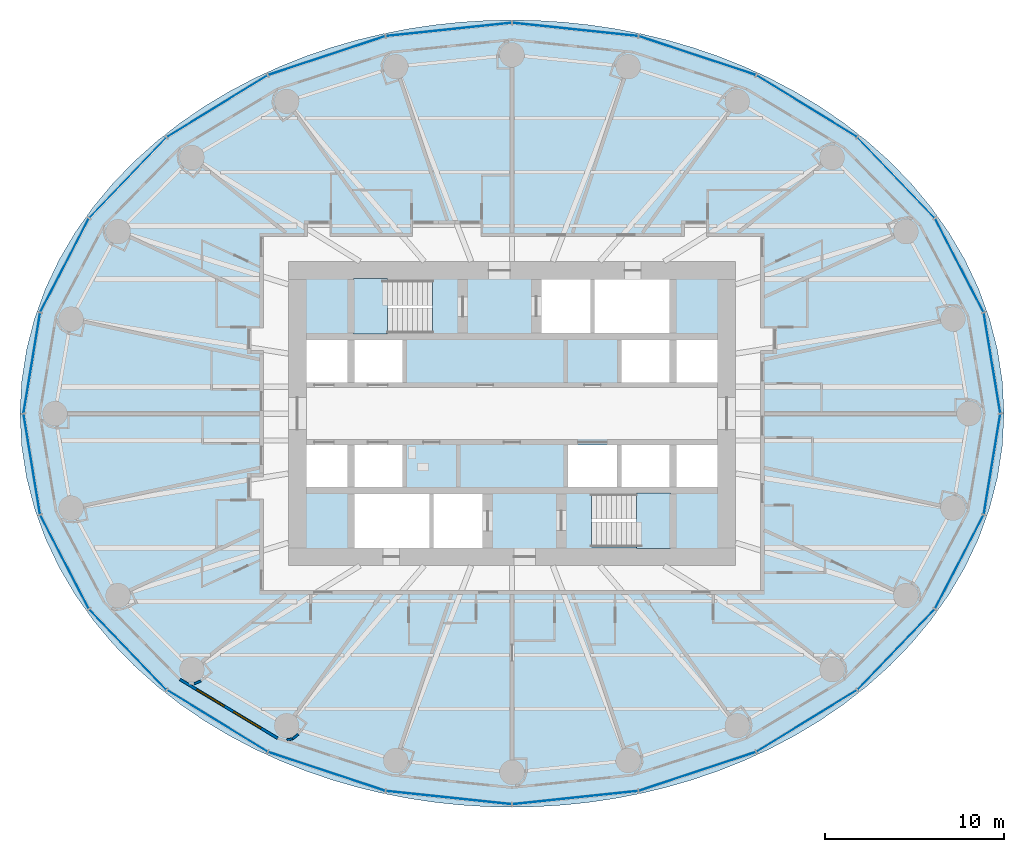
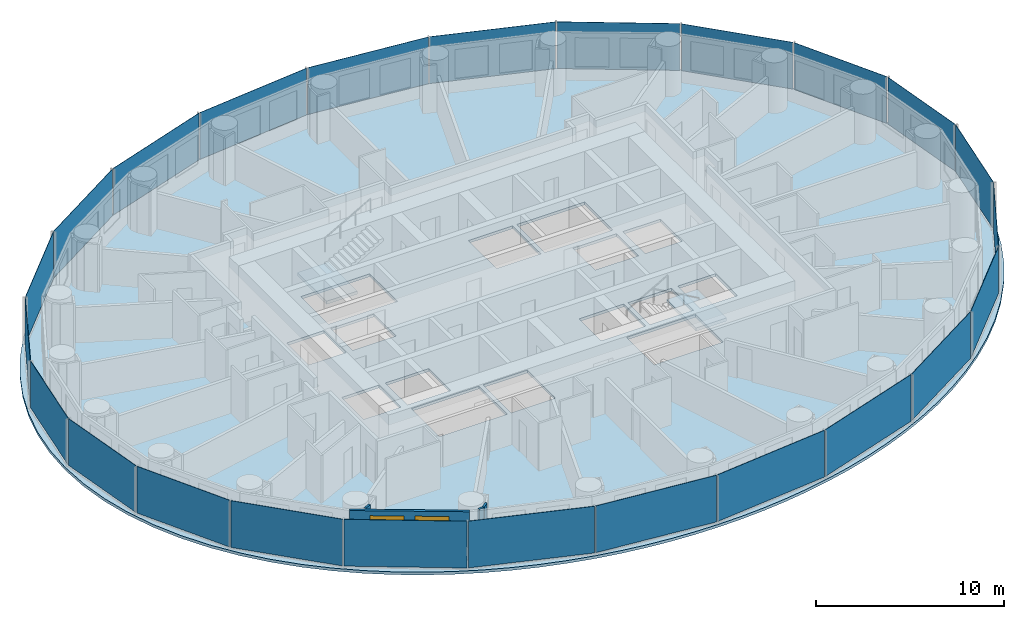
# One storey, part 5 of 16: 24 plates, 4 walls, 3 slabs, 2 windows, 2 openings, 6 elements without a shape of their own.
"""IFC4 building model written with IfcOpenShell, lengths in metres."""

from ifc_helpers import new_model, si_unit, direction, frame, frame_2d, origin, origin_2d, place, context, subcontext, project, spatial, polyline, rectangle, outline, extrude, material, layer, layer_set, type_object, element, fill, aggregate, save


model = new_model("IFC4")

# Units and contexts
model_context = context("Model", 3, precision=1e-05, world=origin(), true_north=direction((0.0, 1.0)))
body_context = subcontext(model_context, "Body", "Model", "MODEL_VIEW")
ifc_project = project(units=[si_unit("LENGTHUNIT", "METRE"), si_unit("AREAUNIT", "SQUARE_METRE"), si_unit("VOLUMEUNIT", "CUBIC_METRE"), si_unit("PLANEANGLEUNIT", "RADIAN"), si_unit("MASSUNIT", "GRAM", prefix="KILO")], contexts=[model_context])

# Site, building, storey
site_placement = place(None, origin())
site = spatial("IfcSite", under=ifc_project, at=site_placement, CompositionType="ELEMENT")
building_placement = place(site_placement, origin())
building = spatial("IfcBuilding", under=site, at=building_placement, Name="Hankou Lantern Tower", CompositionType="ELEMENT")
storey_placement = place(building_placement, frame((0.0, 0.0, 77.10009765625)))
storey = spatial("IfcBuildingStorey", under=building, at=storey_placement, Name="L19", CompositionType="ELEMENT", Elevation=77.10009765625)

# Curtain wall, plates
ifc_material_1 = material(Name="Glass, dark grey tinted laminated", Category="glass")
curtain_wall_type = type_object("IfcCurtainWallType", Name="CWA OUTER SKIN LOW-RISE", PredefinedType="USERDEFINED", material=ifc_material_1)
curtain_wall_1_placement = place(storey_placement, origin())
curtain_wall_1 = element("IfcCurtainWall", 1, at=curtain_wall_1_placement, inside=storey, type_object=curtain_wall_type, Name="CWA L19 OS1", ObjectType="OUTER SKIN LOW-RISE", PredefinedType="USERDEFINED")
ifc_material_2 = material(Name="Glass, dark grey tinted laminated", Category="glass")
ifc_layer_1 = layer(ifc_material_2, 0.02392578125)
ifc_layer_set_1 = layer_set([ifc_layer_1], Name="Glass, dark grey tinted laminated")
plate_type = type_object("IfcPlateType", Name="PN1 OUTER SKIN GLASS PANEL", PredefinedType="CURTAIN_PANEL", material=ifc_layer_set_1)
plate_1_placement = place(storey_placement, frame((26.8349609375, 2.826416015625, 0.079833984375), z_axis=(0.0, 0.0, 1.0), x_axis=(-0.162381515188, 0.986728049427, 0.0)))
plate_1 = element("IfcPlate", 2, at=plate_1_placement, type_object=plate_type, Name="CWA glass panel 1", PredefinedType="CURTAIN_PANEL", context=body_context, shape_type="SweptSolid", body=[
    extrude(rectangle(XDim=5.648681640625, YDim=0.02392578125, at=origin_2d()), origin(), (0.0, 0.0, 1.0), 3.0400390625),
])
plate_2_placement = place(storey_placement, frame((25.006103515625, 8.286376953125, 0.079833984375), z_axis=(0.0, 0.0, 1.0), x_axis=(-0.459791091957, 0.888027112062, 0.0)))
plate_2 = element("IfcPlate", 3, at=plate_2_placement, type_object=plate_type, Name="CWA glass panel 2", PredefinedType="CURTAIN_PANEL", context=body_context, shape_type="SweptSolid", body=[
    extrude(rectangle(XDim=5.8515625, YDim=0.02392578125, at=origin_2d()), origin(), (0.0, 0.0, 1.0), 3.0400390625),
])
plate_3_placement = place(storey_placement, frame((21.47314453125, 13.181640625, 0.079833984375), z_axis=(0.0, 0.0, 1.0), x_axis=(-0.692215809936, 0.721690565599, 0.0)))
plate_3 = element("IfcPlate", 4, at=plate_3_placement, type_object=plate_type, Name="CWA glass panel 3", PredefinedType="CURTAIN_PANEL", context=body_context, shape_type="SweptSolid", body=[
    extrude(rectangle(XDim=6.1875, YDim=0.02392578125, at=origin_2d()), origin(), (0.0, 0.0, 1.0), 3.0400390625),
])
plate_4_placement = place(storey_placement, frame((16.47705078125, 17.1787109375, 0.079833984375), z_axis=(0.0, 0.0, 1.0), x_axis=(-0.852237151549, 0.523155653242, 0.0)))
plate_4 = element("IfcPlate", 5, at=plate_4_placement, type_object=plate_type, Name="CWA glass panel 4", PredefinedType="CURTAIN_PANEL", context=body_context, shape_type="SweptSolid", body=[
    extrude(rectangle(XDim=6.554443359375, YDim=0.02392578125, at=origin_2d()), origin(), (0.0, 0.0, 1.0), 3.0400390625),
])
plate_5_placement = place(storey_placement, frame((10.35791015625, 20.0048828125, 0.079833984375), z_axis=(0.0, 0.0, 1.0), x_axis=(-0.949240677293, 0.31455068999, 0.0)))
plate_5 = element("IfcPlate", 6, at=plate_5_placement, type_object=plate_type, Name="CWA glass panel 5", PredefinedType="CURTAIN_PANEL", context=body_context, shape_type="SweptSolid", body=[
    extrude(rectangle(XDim=6.856201171875, YDim=0.02392578125, at=origin_2d()), origin(), (0.0, 0.0, 1.0), 3.0400390625),
])
plate_6_placement = place(storey_placement, frame((3.532958984375, 21.468017578125, 0.079833984375), z_axis=(0.0, 0.0, 1.0), x_axis=(-0.994499359107, 0.104742659579, 0.0)))
plate_6 = element("IfcPlate", 7, at=plate_6_placement, type_object=plate_type, Name="CWA glass panel 6", PredefinedType="CURTAIN_PANEL", context=body_context, shape_type="SweptSolid", body=[
    extrude(rectangle(XDim=7.02490234375, YDim=0.02392578125, at=origin_2d()), origin(), (0.0, 0.0, 1.0), 3.0400390625),
])
aggregate(curtain_wall_1, [plate_1, plate_2, plate_3, plate_4, plate_5, plate_6])

curtain_wall_2_placement = place(storey_placement, origin())
curtain_wall_2 = element("IfcCurtainWall", 8, at=curtain_wall_2_placement, inside=storey, type_object=curtain_wall_type, Name="CWA L19 OS2", ObjectType="OUTER SKIN LOW-RISE", PredefinedType="USERDEFINED")
plate_7_placement = place(storey_placement, frame((-3.532958984375, 21.468017578125, 0.079833984375), z_axis=(0.0, 0.0, 1.0), x_axis=(-0.994499359107, -0.104742659579, 0.0)))
plate_7 = element("IfcPlate", 9, at=plate_7_placement, type_object=plate_type, Name="CWA glass panel 1", PredefinedType="CURTAIN_PANEL", context=body_context, shape_type="SweptSolid", body=[
    extrude(rectangle(XDim=7.02490234375, YDim=0.02392578125, at=origin_2d()), origin(), (0.0, 0.0, 1.0), 3.0400390625),
])
plate_8_placement = place(storey_placement, frame((-10.35791015625, 20.0048828125, 0.079833984375), z_axis=(0.0, 0.0, 1.0), x_axis=(-0.949240677293, -0.31455068999, 0.0)))
plate_8 = element("IfcPlate", 10, at=plate_8_placement, type_object=plate_type, Name="CWA glass panel 2", PredefinedType="CURTAIN_PANEL", context=body_context, shape_type="SweptSolid", body=[
    extrude(rectangle(XDim=6.856201171875, YDim=0.02392578125, at=origin_2d()), origin(), (0.0, 0.0, 1.0), 3.0400390625),
])
plate_9_placement = place(storey_placement, frame((-16.47705078125, 17.1787109375, 0.079833984375), z_axis=(0.0, 0.0, 1.0), x_axis=(-0.852237151549, -0.523155653242, 0.0)))
plate_9 = element("IfcPlate", 11, at=plate_9_placement, type_object=plate_type, Name="CWA glass panel 3", PredefinedType="CURTAIN_PANEL", context=body_context, shape_type="SweptSolid", body=[
    extrude(rectangle(XDim=6.554443359375, YDim=0.02392578125, at=origin_2d()), origin(), (0.0, 0.0, 1.0), 3.0400390625),
])
plate_10_placement = place(storey_placement, frame((-21.47314453125, 13.181640625, 0.079833984375), z_axis=(0.0, 0.0, 1.0), x_axis=(-0.692215809936, -0.721690565599, 0.0)))
plate_10 = element("IfcPlate", 12, at=plate_10_placement, type_object=plate_type, Name="CWA glass panel 4", PredefinedType="CURTAIN_PANEL", context=body_context, shape_type="SweptSolid", body=[
    extrude(rectangle(XDim=6.1875, YDim=0.02392578125, at=origin_2d()), origin(), (0.0, 0.0, 1.0), 3.0400390625),
])
plate_11_placement = place(storey_placement, frame((-25.006103515625, 8.286376953125, 0.079833984375), z_axis=(0.0, 0.0, 1.0), x_axis=(-0.459791091957, -0.888027112062, 0.0)))
plate_11 = element("IfcPlate", 13, at=plate_11_placement, type_object=plate_type, Name="CWA glass panel 5", PredefinedType="CURTAIN_PANEL", context=body_context, shape_type="SweptSolid", body=[
    extrude(rectangle(XDim=5.8515625, YDim=0.02392578125, at=origin_2d()), origin(), (0.0, 0.0, 1.0), 3.0400390625),
])
plate_12_placement = place(storey_placement, frame((-26.8349609375, 2.826416015625, 0.079833984375), z_axis=(0.0, 0.0, 1.0), x_axis=(-0.162381515188, -0.986728049427, 0.0)))
plate_12 = element("IfcPlate", 14, at=plate_12_placement, type_object=plate_type, Name="CWA glass panel 6", PredefinedType="CURTAIN_PANEL", context=body_context, shape_type="SweptSolid", body=[
    extrude(rectangle(XDim=5.648681640625, YDim=0.02392578125, at=origin_2d()), origin(), (0.0, 0.0, 1.0), 3.0400390625),
])
aggregate(curtain_wall_2, [plate_7, plate_8, plate_9, plate_10, plate_11, plate_12])

curtain_wall_3_placement = place(storey_placement, origin())
curtain_wall_3 = element("IfcCurtainWall", 15, at=curtain_wall_3_placement, inside=storey, type_object=curtain_wall_type, Name="CWA L19 OS3", ObjectType="OUTER SKIN LOW-RISE", PredefinedType="USERDEFINED")
plate_13_placement = place(storey_placement, frame((-26.8349609375, -2.826416015625, 0.079833984375), z_axis=(0.0, 0.0, 1.0), x_axis=(0.162381515188, -0.986728049427, 0.0)))
plate_13 = element("IfcPlate", 16, at=plate_13_placement, type_object=plate_type, Name="CWA glass panel 1", PredefinedType="CURTAIN_PANEL", context=body_context, shape_type="SweptSolid", body=[
    extrude(rectangle(XDim=5.648681640625, YDim=0.02392578125, at=origin_2d()), origin(), (0.0, 0.0, 1.0), 3.0400390625),
])
plate_14_placement = place(storey_placement, frame((-25.006103515625, -8.286376953125, 0.079833984375), z_axis=(0.0, 0.0, 1.0), x_axis=(0.459791091957, -0.888027112062, 0.0)))
plate_14 = element("IfcPlate", 17, at=plate_14_placement, type_object=plate_type, Name="CWA glass panel 2", PredefinedType="CURTAIN_PANEL", context=body_context, shape_type="SweptSolid", body=[
    extrude(rectangle(XDim=5.8515625, YDim=0.02392578125, at=origin_2d()), origin(), (0.0, 0.0, 1.0), 3.0400390625),
])
plate_15_placement = place(storey_placement, frame((-21.47314453125, -13.181640625, 0.079833984375), z_axis=(0.0, 0.0, 1.0), x_axis=(0.692215809936, -0.721690565599, 0.0)))
plate_15 = element("IfcPlate", 18, at=plate_15_placement, type_object=plate_type, Name="CWA glass panel 3", PredefinedType="CURTAIN_PANEL", context=body_context, shape_type="SweptSolid", body=[
    extrude(rectangle(XDim=6.1875, YDim=0.02392578125, at=origin_2d()), origin(), (0.0, 0.0, 1.0), 3.0400390625),
])
plate_16_placement = place(storey_placement, frame((-16.47705078125, -17.1787109375, 0.079833984375), z_axis=(0.0, 0.0, 1.0), x_axis=(0.852237151549, -0.523155653242, 0.0)))
plate_16 = element("IfcPlate", 19, at=plate_16_placement, type_object=plate_type, Name="CWA glass panel 4", PredefinedType="CURTAIN_PANEL", context=body_context, shape_type="SweptSolid", body=[
    extrude(rectangle(XDim=6.554443359375, YDim=0.02392578125, at=origin_2d()), origin(), (0.0, 0.0, 1.0), 3.0400390625),
])
plate_17_placement = place(storey_placement, frame((-10.35791015625, -20.0048828125, 0.079833984375), z_axis=(0.0, 0.0, 1.0), x_axis=(0.949240677293, -0.31455068999, 0.0)))
plate_17 = element("IfcPlate", 20, at=plate_17_placement, type_object=plate_type, Name="CWA glass panel 5", PredefinedType="CURTAIN_PANEL", context=body_context, shape_type="SweptSolid", body=[
    extrude(rectangle(XDim=6.856201171875, YDim=0.02392578125, at=origin_2d()), origin(), (0.0, 0.0, 1.0), 3.0400390625),
])
plate_18_placement = place(storey_placement, frame((-3.532958984375, -21.468017578125, 0.079833984375), z_axis=(0.0, 0.0, 1.0), x_axis=(0.994499359107, -0.104742659579, 0.0)))
plate_18 = element("IfcPlate", 21, at=plate_18_placement, type_object=plate_type, Name="CWA glass panel 6", PredefinedType="CURTAIN_PANEL", context=body_context, shape_type="SweptSolid", body=[
    extrude(rectangle(XDim=7.02490234375, YDim=0.02392578125, at=origin_2d()), origin(), (0.0, 0.0, 1.0), 3.0400390625),
])
aggregate(curtain_wall_3, [plate_13, plate_14, plate_15, plate_16, plate_17, plate_18])

curtain_wall_4_placement = place(storey_placement, origin())
curtain_wall_4 = element("IfcCurtainWall", 22, at=curtain_wall_4_placement, inside=storey, type_object=curtain_wall_type, Name="CWA L19 OS4", ObjectType="OUTER SKIN LOW-RISE", PredefinedType="USERDEFINED")
plate_19_placement = place(storey_placement, frame((3.532958984375, -21.468017578125, 0.079833984375), z_axis=(0.0, 0.0, 1.0), x_axis=(0.994499359107, 0.104742659579, 0.0)))
plate_19 = element("IfcPlate", 23, at=plate_19_placement, type_object=plate_type, Name="CWA glass panel 1", PredefinedType="CURTAIN_PANEL", context=body_context, shape_type="SweptSolid", body=[
    extrude(rectangle(XDim=7.02490234375, YDim=0.02392578125, at=origin_2d()), origin(), (0.0, 0.0, 1.0), 3.0400390625),
])
plate_20_placement = place(storey_placement, frame((10.35791015625, -20.0048828125, 0.079833984375), z_axis=(0.0, 0.0, 1.0), x_axis=(0.949240677293, 0.31455068999, 0.0)))
plate_20 = element("IfcPlate", 24, at=plate_20_placement, type_object=plate_type, Name="CWA glass panel 2", PredefinedType="CURTAIN_PANEL", context=body_context, shape_type="SweptSolid", body=[
    extrude(rectangle(XDim=6.856201171875, YDim=0.02392578125, at=origin_2d()), origin(), (0.0, 0.0, 1.0), 3.0400390625),
])
plate_21_placement = place(storey_placement, frame((16.47705078125, -17.1787109375, 0.079833984375), z_axis=(0.0, 0.0, 1.0), x_axis=(0.852237151549, 0.523155653242, 0.0)))
plate_21 = element("IfcPlate", 25, at=plate_21_placement, type_object=plate_type, Name="CWA glass panel 3", PredefinedType="CURTAIN_PANEL", context=body_context, shape_type="SweptSolid", body=[
    extrude(rectangle(XDim=6.554443359375, YDim=0.02392578125, at=origin_2d()), origin(), (0.0, 0.0, 1.0), 3.0400390625),
])
plate_22_placement = place(storey_placement, frame((21.47314453125, -13.181640625, 0.079833984375), z_axis=(0.0, 0.0, 1.0), x_axis=(0.692215809936, 0.721690565599, 0.0)))
plate_22 = element("IfcPlate", 26, at=plate_22_placement, type_object=plate_type, Name="CWA glass panel 4", PredefinedType="CURTAIN_PANEL", context=body_context, shape_type="SweptSolid", body=[
    extrude(rectangle(XDim=6.1875, YDim=0.02392578125, at=origin_2d()), origin(), (0.0, 0.0, 1.0), 3.0400390625),
])
plate_23_placement = place(storey_placement, frame((25.006103515625, -8.286376953125, 0.079833984375), z_axis=(0.0, 0.0, 1.0), x_axis=(0.459791091957, 0.888027112062, 0.0)))
plate_23 = element("IfcPlate", 27, at=plate_23_placement, type_object=plate_type, Name="CWA glass panel 5", PredefinedType="CURTAIN_PANEL", context=body_context, shape_type="SweptSolid", body=[
    extrude(rectangle(XDim=5.8515625, YDim=0.02392578125, at=origin_2d()), origin(), (0.0, 0.0, 1.0), 3.0400390625),
])
plate_24_placement = place(storey_placement, frame((26.8349609375, -2.826416015625, 0.079833984375), z_axis=(0.0, 0.0, 1.0), x_axis=(0.162381515188, 0.986728049427, 0.0)))
plate_24 = element("IfcPlate", 28, at=plate_24_placement, type_object=plate_type, Name="CWA glass panel 6", PredefinedType="CURTAIN_PANEL", context=body_context, shape_type="SweptSolid", body=[
    extrude(rectangle(XDim=5.648681640625, YDim=0.02392578125, at=origin_2d()), origin(), (0.0, 0.0, 1.0), 3.0400390625),
])
aggregate(curtain_wall_4, [plate_19, plate_20, plate_21, plate_22, plate_23, plate_24])

# Slab
ifc_material_3 = material(Name="Concrete C50", Category="concrete")
ifc_layer_2 = layer(ifc_material_3, 0.179931640625)
ifc_layer_set_2 = layer_set([ifc_layer_2], Name="Concrete C50")
slab_type_1 = type_object("IfcSlabType", Name="S1 CONCRETE FLOOR SLAB 180", PredefinedType="FLOOR", material=ifc_layer_set_2)
slab_1_placement = place(storey_placement, frame((0.0, 0.0, -0.18017578125)))
element("IfcSlab", 29, at=slab_1_placement, inside=storey, type_object=slab_type_1, Name="Floor slab L19", PredefinedType="FLOOR", context=body_context, shape_type="SweptSolid", body=[
    extrude(outline(polyline([(27.5, 0.0), (27.408203125, 1.79638671875), (27.135009765625, 3.572509765625), (26.6875, 5.308349609375), (26.076171875, 6.987060546875), (25.3154296875, 8.593505859375), (24.420654296875, 10.115478515625), (23.40966796875, 11.54443359375), (22.29931640625, 12.87451171875), (21.1064453125, 14.102783203125), (19.846435546875, 15.228759765625), (18.533447265625, 16.25341796875), (17.17919921875, 17.17919921875), (15.794189453125, 18.009765625), (14.38671875, 18.749267578125), (12.964111328125, 19.402099609375), (11.53125, 19.972412109375), (10.09228515625, 20.46484375), (8.650146484375, 20.88330078125), (7.20703125, 21.23095703125), (5.763916015625, 21.51123046875), (4.32177734375, 21.7265625), (2.88037109375, 21.87890625), (1.43994140625, 21.9697265625), (0.0, 22.0), (-1.43994140625, 21.9697265625), (-2.88037109375, 21.87890625), (-4.32177734375, 21.7265625), (-5.763916015625, 21.51123046875), (-7.20703125, 21.23095703125), (-8.650146484375, 20.88330078125), (-10.09228515625, 20.46484375), (-11.53125, 19.972412109375), (-12.964111328125, 19.402099609375), (-14.38671875, 18.749267578125), (-15.794189453125, 18.009765625), (-17.17919921875, 17.17919921875), (-18.533447265625, 16.25341796875), (-19.846435546875, 15.228759765625), (-21.1064453125, 14.102783203125), (-22.29931640625, 12.87451171875), (-23.40966796875, 11.54443359375), (-24.420654296875, 10.115478515625), (-25.3154296875, 8.593505859375), (-26.076171875, 6.987060546875), (-26.6875, 5.308349609375), (-27.135009765625, 3.572509765625), (-27.408203125, 1.79638671875), (-27.5, 0.0), (-27.408203125, -1.79638671875), (-27.135009765625, -3.572509765625), (-26.6875, -5.308349609375), (-26.076171875, -6.987060546875), (-25.3154296875, -8.593505859375), (-24.420654296875, -10.115478515625), (-23.40966796875, -11.54443359375), (-22.29931640625, -12.87451171875), (-21.1064453125, -14.102783203125), (-19.846435546875, -15.228759765625), (-18.533447265625, -16.25341796875), (-17.17919921875, -17.17919921875), (-15.794189453125, -18.009765625), (-14.38671875, -18.749267578125), (-12.964111328125, -19.402099609375), (-11.53125, -19.972412109375), (-10.09228515625, -20.46484375), (-8.650146484375, -20.88330078125), (-7.20703125, -21.23095703125), (-5.763916015625, -21.51123046875), (-4.32177734375, -21.7265625), (-2.88037109375, -21.87890625), (-1.43994140625, -21.9697265625), (0.0, -22.0), (1.43994140625, -21.9697265625), (2.88037109375, -21.87890625), (4.32177734375, -21.7265625), (5.763916015625, -21.51123046875), (7.20703125, -21.23095703125), (8.650146484375, -20.88330078125), (10.09228515625, -20.46484375), (11.53125, -19.972412109375), (12.964111328125, -19.402099609375), (14.38671875, -18.749267578125), (15.794189453125, -18.009765625), (17.17919921875, -17.17919921875), (18.533447265625, -16.25341796875), (19.846435546875, -15.228759765625), (21.1064453125, -14.102783203125), (22.29931640625, -12.87451171875), (23.40966796875, -11.54443359375), (24.420654296875, -10.115478515625), (25.3154296875, -8.593505859375), (26.076171875, -6.987060546875), (26.6875, -5.308349609375), (27.135009765625, -3.572509765625), (27.408203125, -1.79638671875), (27.5, 0.0)]), holes=[polyline([(-11.5, 4.10009765625), (-9.199951171875, 4.10009765625), (-9.199951171875, 1.75), (-11.5, 1.75), (-11.5, 4.10009765625)]), polyline([(-8.800048828125, 4.10009765625), (-6.125, 4.10009765625), (-6.125, 1.75), (-8.800048828125, 1.75), (-8.800048828125, 4.10009765625)]), polyline([(6.125, 4.10009765625), (8.800048828125, 4.10009765625), (8.800048828125, 1.75), (6.125, 1.75), (6.125, 4.10009765625)]), polyline([(9.199951171875, 4.10009765625), (11.5, 4.10009765625), (11.5, 1.75), (9.199951171875, 1.75), (9.199951171875, 4.10009765625)]), polyline([(-11.5, -1.75), (-9.199951171875, -1.75), (-9.199951171875, -4.10009765625), (-11.5, -4.10009765625), (-11.5, -1.75)]), polyline([(-8.800048828125, -1.75), (-6.125, -1.75), (-6.125, -4.10009765625), (-8.800048828125, -4.10009765625), (-8.800048828125, -1.75)]), polyline([(3.125, -1.75), (5.875, -1.75), (5.875, -4.10009765625), (3.125, -4.10009765625), (3.125, -1.75)]), polyline([(6.125, -1.75), (8.800048828125, -1.75), (8.800048828125, -4.10009765625), (6.125, -4.10009765625), (6.125, -1.75)]), polyline([(9.199951171875, -1.75), (11.5, -1.75), (11.5, -4.10009765625), (9.199951171875, -4.10009765625), (9.199951171875, -1.75)]), polyline([(1.64990234375, 7.5), (4.375, 7.5), (4.375, 4.5), (1.64990234375, 4.5), (1.64990234375, 7.5)]), polyline([(-4.375, -4.5), (-1.64990234375, -4.5), (-1.64990234375, -7.5), (-4.375, -7.5), (-4.375, -4.5)]), polyline([(-8.699951171875, 7.449951171875), (-4.449951171875, 7.449951171875), (-4.449951171875, 4.5), (-8.699951171875, 4.5), (-8.699951171875, 7.449951171875)]), polyline([(4.449951171875, -4.5), (8.699951171875, -4.5), (8.699951171875, -7.449951171875), (4.449951171875, -7.449951171875), (4.449951171875, -4.5)]), polyline([(4.625, 7.5), (8.800048828125, 7.5), (8.800048828125, 4.5), (4.625, 4.5), (4.625, 7.5)]), polyline([(-8.800048828125, -4.5), (-4.625, -4.5), (-4.625, -7.5), (-8.800048828125, -7.5), (-8.800048828125, -4.5)])]), origin(), (0.0, 0.0, 1.0), 0.18017578125),
])

# Stair, slab
ifc_material_4 = material(Name="Concrete C40", Category="concrete")
stair_type = type_object("IfcStairType", Name="ST33 CORE STAIR 3300 RISE", PredefinedType="HALF_TURN_STAIR", material=ifc_material_4)
stair_1_placement = place(storey_placement, origin())
stair_1 = element("IfcStair", 30, at=stair_1_placement, inside=storey, type_object=stair_type, Name="Stair STA L19", PredefinedType="HALF_TURN_STAIR")
ifc_material_5 = material(Name="Concrete C40", Category="concrete")
ifc_layer_3 = layer(ifc_material_5, 0.199951171875)
ifc_layer_set_3 = layer_set([ifc_layer_3], Name="Concrete C40")
slab_type_2 = type_object("IfcSlabType", Name="SL1 STAIR LANDING 200", PredefinedType="LANDING", material=ifc_layer_set_3)
slab_2_placement = place(storey_placement, frame((0.0, 0.0, 1.371337890625)))
slab_2 = element("IfcSlab", 31, at=slab_2_placement, type_object=slab_type_2, Name="STA landing 1", PredefinedType="LANDING", context=body_context, shape_type="SweptSolid", body=[
    extrude(outline(polyline([(-8.85009765625, 4.449951171875), (-6.949951171875, 4.449951171875), (-6.949951171875, 7.550048828125), (-8.85009765625, 7.550048828125), (-8.85009765625, 4.449951171875)])), origin(), (0.0, 0.0, 1.0), 0.199951171875),
])
aggregate(stair_1, [slab_2])

stair_2_placement = place(storey_placement, origin())
stair_2 = element("IfcStair", 32, at=stair_2_placement, inside=storey, type_object=stair_type, Name="Stair STB L19", PredefinedType="HALF_TURN_STAIR")
slab_3_placement = place(storey_placement, frame((0.0, 0.0, 1.371337890625)))
slab_3 = element("IfcSlab", 33, at=slab_3_placement, type_object=slab_type_2, Name="STB landing 1", PredefinedType="LANDING", context=body_context, shape_type="SweptSolid", body=[
    extrude(outline(polyline([(8.85009765625, -4.449951171875), (6.949951171875, -4.449951171875), (6.949951171875, -7.550048828125), (8.85009765625, -7.550048828125), (8.85009765625, -4.449951171875)])), origin(), (0.0, 0.0, 1.0), 0.199951171875),
])
aggregate(stair_2, [slab_3])

# Wall, openings, windows
ifc_material_6 = material(Name="Aluminium spandrel panel on steel studs", Category="steel")
ifc_layer_4 = layer(ifc_material_6, 0.14990234375)
ifc_layer_set_4 = layer_set([ifc_layer_4], Name="Aluminium spandrel panel on steel studs")
wall_type_1 = type_object("IfcWallType", Name="EW1 INNER SKIN WALL 150", PredefinedType="ELEMENTEDWALL", material=ifc_layer_set_4)
wall_1_placement = place(storey_placement, frame((-18.569580078125, -14.855712890625, 0.0), z_axis=(0.0, 0.0, 1.0), x_axis=(0.856983180864, -0.515344377787, 0.0)))
wall_1 = element("IfcWall", 34, at=wall_1_placement, inside=storey, type_object=wall_type_1, Name="Inner skin R16-R17 L19", PredefinedType="ELEMENTEDWALL", context=body_context, shape_type="SweptSolid", body=[
    extrude(rectangle(XDim=6.386474609375, YDim=0.14990234375, at=frame_2d((3.193359375, 0.0))), origin(), (0.0, 0.0, 1.0), 3.119873046875),
])
opening_1_placement = place(wall_1_placement, frame((1.09326171875, 0.0, 0.89990234375)))
opening_1 = element("IfcOpeningElement", 35, at=opening_1_placement, cuts=wall_1, Name="Opening W1", PredefinedType="OPENING", context=body_context, shape_type="SweptSolid", body=[
    extrude(rectangle(XDim=1.800048828125, YDim=1.89990234375, at=frame_2d((0.89990234375, 0.949951171875))), frame((0.0, 0.0849609375, 0.0), z_axis=(0.0, -1.0, 0.0), x_axis=(1.0, 0.0, 0.0)), (0.0, 0.0, 1.0), 0.169921875),
])
opening_2_placement = place(wall_1_placement, frame((3.4931640625, 0.0, 0.89990234375)))
opening_2 = element("IfcOpeningElement", 36, at=opening_2_placement, cuts=wall_1, Name="Opening W1", PredefinedType="OPENING", context=body_context, shape_type="SweptSolid", body=[
    extrude(rectangle(XDim=1.800048828125, YDim=1.89990234375, at=frame_2d((0.89990234375, 0.949951171875))), frame((0.0, 0.0849609375, 0.0), z_axis=(0.0, -1.0, 0.0), x_axis=(1.0, 0.0, 0.0)), (0.0, 0.0, 1.0), 0.169921875),
])
ifc_material_7 = material(Name="Aluminium framed double glazed window", Category="aluminium")
window_type = type_object("IfcWindowType", Name="W1 GUEST ROOM WINDOW 1800X1900", PartitioningType="DOUBLE_PANEL_VERTICAL", PredefinedType="WINDOW", material=ifc_material_7)
window_1_placement = place(opening_1_placement, origin())
window_1 = element("IfcWindow", 37, at=window_1_placement, inside=storey, type_object=window_type, Name="Window R16.1 L19", OverallHeight=1.89990234375, OverallWidth=1.800048828125, PartitioningType="SINGLE_PANEL", PredefinedType="WINDOW", context=body_context, shape_type="SweptSolid", body=[
    extrude(rectangle(XDim=1.800048828125, YDim=1.89990234375, at=frame_2d((0.89990234375, 0.949951171875))), frame((0.0, 0.030029296875, 0.0), z_axis=(0.0, -1.0, 0.0), x_axis=(1.0, 0.0, 0.0)), (0.0, 0.0, 1.0), 0.06005859375),
])
fill(opening_1, window_1)
window_2_placement = place(opening_2_placement, origin())
window_2 = element("IfcWindow", 38, at=window_2_placement, inside=storey, type_object=window_type, Name="Window R16.2 L19", OverallHeight=1.89990234375, OverallWidth=1.800048828125, PartitioningType="SINGLE_PANEL", PredefinedType="WINDOW", context=body_context, shape_type="SweptSolid", body=[
    extrude(rectangle(XDim=1.800048828125, YDim=1.89990234375, at=frame_2d((0.89990234375, 0.949951171875))), frame((0.0, 0.030029296875, 0.0), z_axis=(0.0, -1.0, 0.0), x_axis=(1.0, 0.0, 0.0)), (0.0, 0.0, 1.0), 0.06005859375),
])
fill(opening_2, window_2)

# Walls
ifc_material_8 = material(Name="Masonry lightweight concrete block", Category="masonry")
ifc_layer_5 = layer(ifc_material_8, 0.1201171875)
ifc_layer_set_5 = layer_set([ifc_layer_5], Name="Masonry lightweight concrete block")
wall_type_2 = type_object("IfcWallType", Name="IW4 PARTITION 120", PredefinedType="PARTITIONING", material=ifc_layer_set_5)
wall_2_placement = place(storey_placement, frame((-17.38720703125, -14.94384765625, 0.0), z_axis=(0.0, 0.0, 1.0), x_axis=(-0.916036698064, -0.401094462441, 0.0)))
element("IfcWall", 39, at=wall_2_placement, inside=storey, type_object=wall_type_2, Name="Column casing R16", PredefinedType="PARTITIONING", context=body_context, shape_type="SweptSolid", body=[
    extrude(rectangle(XDim=0.418212890625, YDim=0.1201171875, at=frame_2d((0.208984375, 0.0))), origin(), (0.0, 0.0, 1.0), 3.119873046875),
])
wall_3_placement = place(storey_placement, frame((-11.93603515625, -17.9189453125, 0.0), z_axis=(0.0, 0.0, 1.0), x_axis=(-0.775023088441, -0.631932917629, 0.0)))
element("IfcWall", 40, at=wall_3_placement, inside=storey, type_object=wall_type_2, Name="Column casing R17", PredefinedType="PARTITIONING", context=body_context, shape_type="SweptSolid", body=[
    extrude(rectangle(XDim=0.41796875, YDim=0.1201171875, at=frame_2d((0.208984375, 0.0))), origin(), (0.0, 0.0, 1.0), 3.119873046875),
])
wall_4_placement = place(storey_placement, frame((-12.260009765625, -18.18310546875, 0.0), z_axis=(0.0, 0.0, 1.0), x_axis=(-0.987218661664, -0.159371622511, 0.0)))
element("IfcWall", 41, at=wall_4_placement, inside=storey, type_object=wall_type_2, Name="Column casing R17", PredefinedType="PARTITIONING", context=body_context, shape_type="SweptSolid", body=[
    extrude(rectangle(XDim=0.330810546875, YDim=0.1201171875, at=frame_2d((0.16552734375, 0.0))), origin(), (0.0, 0.0, 1.0), 3.119873046875),
])

save(model, "model.ifc")
